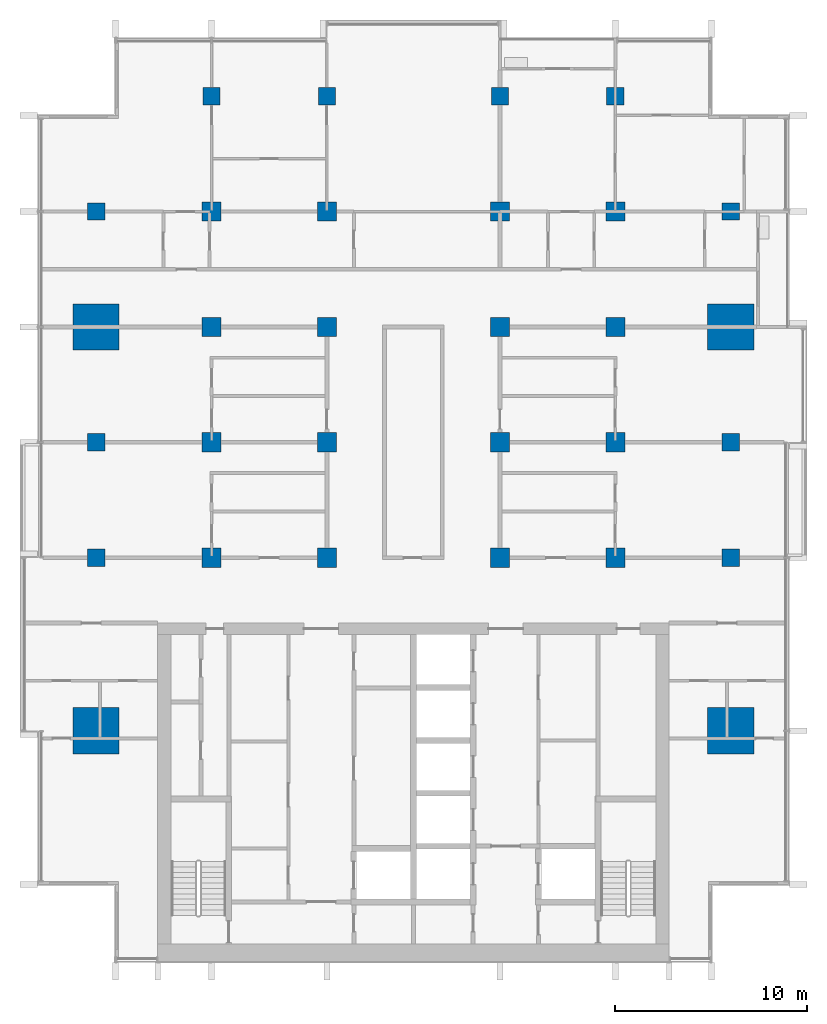
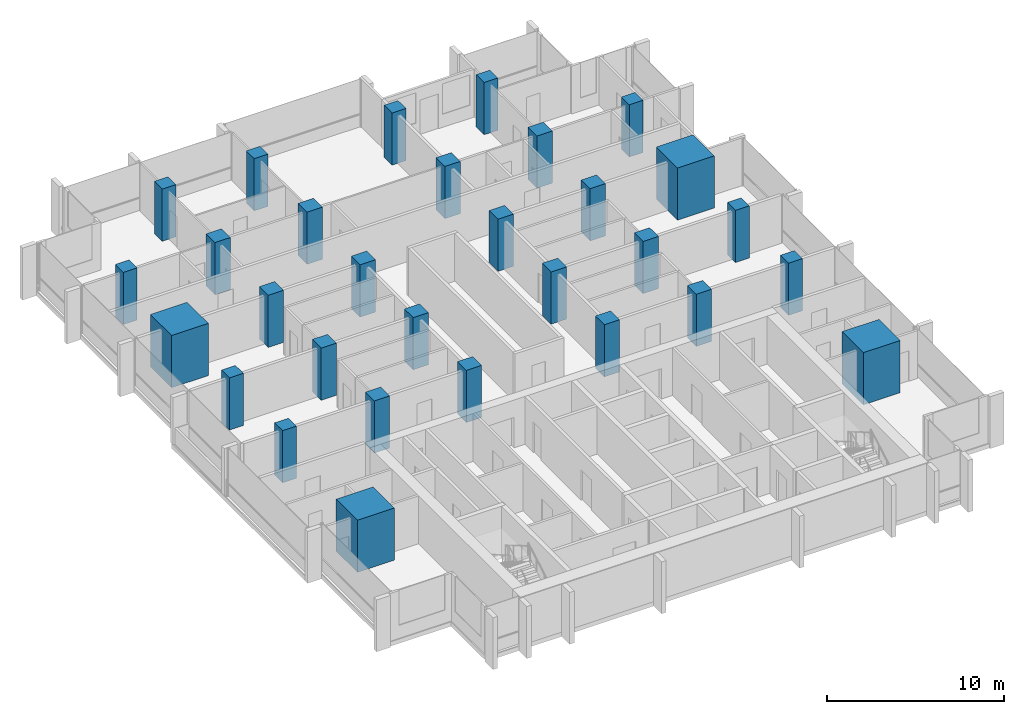
# One storey, part 1 of 16: 30 columns.
"""IFC4 building model written with IfcOpenShell, lengths in metres."""

from ifc_helpers import new_model, si_unit, direction, frame, origin, origin_2d, place, context, subcontext, project, spatial, rectangle, extrude, material, material_profile, profile_set, type_object, element, save


model = new_model("IFC4")

# Units and contexts
model_context = context("Model", 3, precision=1e-05, world=origin(), true_north=direction((0.0, 1.0)))
body_context = subcontext(model_context, "Body", "Model", "MODEL_VIEW")
ifc_project = project(units=[si_unit("LENGTHUNIT", "METRE"), si_unit("AREAUNIT", "SQUARE_METRE"), si_unit("VOLUMEUNIT", "CUBIC_METRE"), si_unit("PLANEANGLEUNIT", "RADIAN"), si_unit("MASSUNIT", "GRAM", prefix="KILO")], contexts=[model_context])

# Site, building, storey
site_placement = place(None, origin())
site = spatial("IfcSite", under=ifc_project, at=site_placement, CompositionType="ELEMENT")
building_placement = place(site_placement, origin())
building = spatial("IfcBuilding", under=site, at=building_placement, Name="Finial Court Residences", CompositionType="ELEMENT")
storey_placement = place(building_placement, frame((0.0, 0.0, 160.10009765625)))
storey = spatial("IfcBuildingStorey", under=building, at=storey_placement, Name="L39", CompositionType="ELEMENT", Elevation=160.10009765625)

# Columns
ifc_material = material(Name="Concrete C60/75", Category="concrete")
ifc_material_profile_1 = material_profile(ifc_material, rectangle(XDim=1.0, YDim=1.0, at=origin_2d()), Name="1000x1000")
ifc_profile_set_1 = profile_set([ifc_material_profile_1], Name="Concrete C60/75")
column_type_1 = type_object("IfcColumnType", Name="Interior column 1000x1000 Concrete C60/75", PredefinedType="COLUMN", material=ifc_profile_set_1)
for number, where, z_axis, x_axis, name in (
    (1, (-10.5, -4.5, 0.0), (0.0, 0.0, 1.0), (1.0, 0.0, 0.0), "S:COL:L39:D4"),
    (2, (-10.5, 1.5, 0.0), (0.0, 0.0, 1.0), (1.0, 0.0, 0.0), "S:COL:L39:D5"),
    (3, (-10.5, 7.5, 0.0), (0.0, 0.0, 1.0), (1.0, 0.0, 0.0), "S:COL:L39:D6"),
    (4, (-10.5, 13.5, 0.0), (0.0, 0.0, 1.0), (1.0, 0.0, 0.0), "S:COL:L39:D7"),
    (5, (-4.5, -4.5, 0.0), (0.0, 0.0, 1.0), (1.0, 0.0, 0.0), "S:COL:L39:E4"),
    (6, (-4.5, 1.5, 0.0), (0.0, 0.0, 1.0), (1.0, 0.0, 0.0), "S:COL:L39:E5"),
    (7, (-4.5, 7.5, 0.0), (0.0, 0.0, 1.0), (1.0, 0.0, 0.0), "S:COL:L39:E6"),
    (8, (-4.5, 13.5, 0.0), (0.0, 0.0, 1.0), (1.0, 0.0, 0.0), "S:COL:L39:E7"),
    (9, (4.5, -4.5, 0.0), (0.0, 0.0, 1.0), (1.0, 0.0, 0.0), "S:COL:L39:F4"),
    (10, (4.5, 1.5, 0.0), (0.0, 0.0, 1.0), (1.0, 0.0, 0.0), "S:COL:L39:F5"),
    (11, (4.5, 7.5, 0.0), (0.0, 0.0, 1.0), (1.0, 0.0, 0.0), "S:COL:L39:F6"),
    (12, (4.5, 13.5, 0.0), (0.0, 0.0, 1.0), (1.0, 0.0, 0.0), "S:COL:L39:F7"),
    (13, (10.5, -4.5, 0.0), (0.0, 0.0, 1.0), (1.0, 0.0, 0.0), "S:COL:L39:G4"),
    (14, (10.5, 1.5, 0.0), (0.0, 0.0, 1.0), (1.0, 0.0, 0.0), "S:COL:L39:G5"),
    (15, (10.5, 7.5, 0.0), (0.0, 0.0, 1.0), (1.0, 0.0, 0.0), "S:COL:L39:G6"),
    (16, (10.5, 13.5, 0.0), (0.0, 0.0, 1.0), (1.0, 0.0, 0.0), "S:COL:L39:G7"),
):
    element("IfcColumn", number, at=place(storey_placement, frame(where, z_axis=z_axis, x_axis=x_axis)), inside=storey, type_object=column_type_1, Name=name, PredefinedType="COLUMN", context=body_context, shape_type="SweptSolid", body=[
        extrude(rectangle(XDim=1.0, YDim=1.0, at=origin_2d()), origin(), (0.0, 0.0, 1.0), 3.599853515625),
    ])
ifc_material_profile_2 = material_profile(ifc_material, rectangle(XDim=2.39990234375, YDim=2.39990234375, at=origin_2d()), Name="2400x2400")
ifc_profile_set_2 = profile_set([ifc_material_profile_2], Name="Concrete C60/75")
column_type_2 = type_object("IfcColumnType", Name="Mega column 2400x2400 Concrete C60/75", PredefinedType="COLUMN", material=ifc_profile_set_2)
for number, where, z_axis, x_axis, name in (
    (17, (-16.5, -13.5, 0.0), (0.0, 0.0, 1.0), (1.0, 0.0, 0.0), "S:COL:L39:C3"),
    (18, (-16.5, 7.5, 0.0), (0.0, 0.0, 1.0), (1.0, 0.0, 0.0), "S:COL:L39:C6"),
    (19, (16.5, -13.5, 0.0), (0.0, 0.0, 1.0), (1.0, 0.0, 0.0), "S:COL:L39:H3"),
    (20, (16.5, 7.5, 0.0), (0.0, 0.0, 1.0), (1.0, 0.0, 0.0), "S:COL:L39:H6"),
):
    element("IfcColumn", number, at=place(storey_placement, frame(where, z_axis=z_axis, x_axis=x_axis)), inside=storey, type_object=column_type_2, Name=name, PredefinedType="COLUMN", context=body_context, shape_type="SweptSolid", body=[
        extrude(rectangle(XDim=2.39990234375, YDim=2.39990234375, at=origin_2d()), origin(), (0.0, 0.0, 1.0), 3.599853515625),
    ])
ifc_material_profile_3 = material_profile(ifc_material, rectangle(XDim=0.89990234375, YDim=0.89990234375, at=origin_2d()), Name="900x900")
ifc_profile_set_3 = profile_set([ifc_material_profile_3], Name="Concrete C60/75")
column_type_3 = type_object("IfcColumnType", Name="Perimeter column 900x900 Concrete C60/75", PredefinedType="COLUMN", material=ifc_profile_set_3)
for number, where, z_axis, x_axis, name in (
    (21, (-16.5, -4.5, 0.0), (0.0, 0.0, 1.0), (1.0, 0.0, 0.0), "S:COL:L39:C4"),
    (22, (-16.5, 1.5, 0.0), (0.0, 0.0, 1.0), (1.0, 0.0, 0.0), "S:COL:L39:C5"),
    (23, (-16.5, 13.5, 0.0), (0.0, 0.0, 1.0), (1.0, 0.0, 0.0), "S:COL:L39:C7"),
    (24, (-10.5, 19.5, 0.0), (0.0, 0.0, 1.0), (1.0, 0.0, 0.0), "S:COL:L39:D8"),
    (25, (-4.5, 19.5, 0.0), (0.0, 0.0, 1.0), (1.0, 0.0, 0.0), "S:COL:L39:E8"),
    (26, (4.5, 19.5, 0.0), (0.0, 0.0, 1.0), (1.0, 0.0, 0.0), "S:COL:L39:F8"),
    (27, (10.5, 19.5, 0.0), (0.0, 0.0, 1.0), (1.0, 0.0, 0.0), "S:COL:L39:G8"),
    (28, (16.5, -4.5, 0.0), (0.0, 0.0, 1.0), (1.0, 0.0, 0.0), "S:COL:L39:H4"),
    (29, (16.5, 1.5, 0.0), (0.0, 0.0, 1.0), (1.0, 0.0, 0.0), "S:COL:L39:H5"),
    (30, (16.5, 13.5, 0.0), (0.0, 0.0, 1.0), (1.0, 0.0, 0.0), "S:COL:L39:H7"),
):
    element("IfcColumn", number, at=place(storey_placement, frame(where, z_axis=z_axis, x_axis=x_axis)), inside=storey, type_object=column_type_3, Name=name, PredefinedType="COLUMN", context=body_context, shape_type="SweptSolid", body=[
        extrude(rectangle(XDim=0.89990234375, YDim=0.89990234375, at=origin_2d()), origin(), (0.0, 0.0, 1.0), 3.599853515625),
    ])

save(model, "model.ifc")
